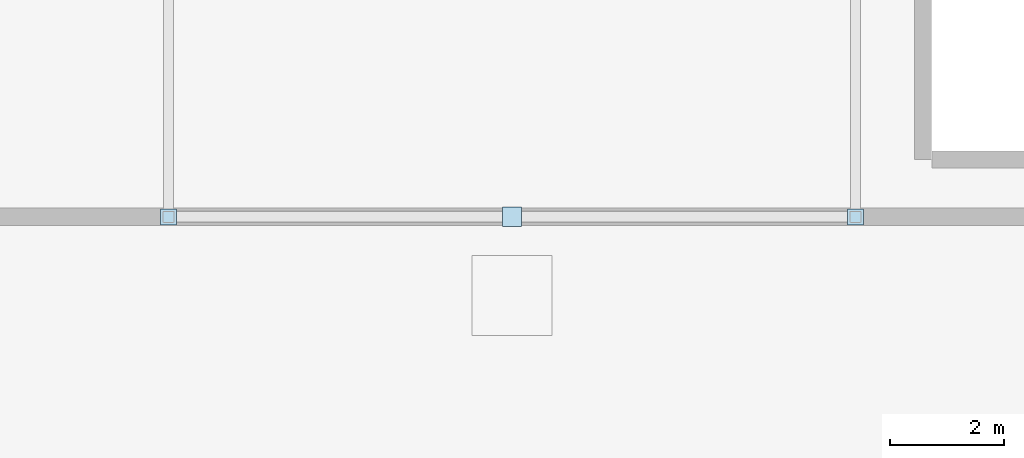
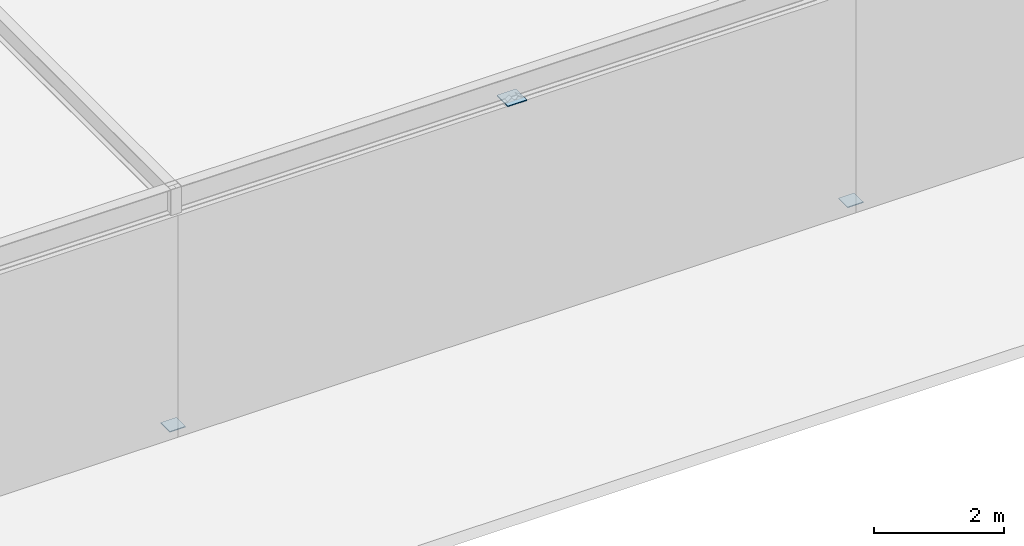
# One storey, part 84 of 119: 3 plates.
"""IFC4 building model written with IfcOpenShell, lengths in metres."""

from ifc_helpers import new_model, si_unit, derived_unit, direction, frame, origin, origin_2d_with_axis, place, context, subcontext, project, spatial, rectangle, extrude, material, layer, layer_set, type_object, element, save


model = new_model("IFC4")

# Units and contexts
model_context = context("Model", 3, precision=1e-05, world=origin(), true_north=direction((0.0, 1.0)))
body_context = subcontext(model_context, "Body", "Model", "MODEL_VIEW")
ifc_project = project(units=[si_unit("LENGTHUNIT", "METRE"), si_unit("AREAUNIT", "SQUARE_METRE"), si_unit("VOLUMEUNIT", "CUBIC_METRE"), si_unit("PLANEANGLEUNIT", "RADIAN"), si_unit("MASSUNIT", "GRAM", prefix="KILO"), derived_unit("THERMALTRANSMITTANCEUNIT", [(si_unit("POWERUNIT", "WATT"), 1), (si_unit("LENGTHUNIT", "METRE"), -2), (si_unit("THERMODYNAMICTEMPERATUREUNIT", "KELVIN"), -1)])], contexts=[model_context])

# Site, building, storey
site_placement = place(None, origin())
site = spatial("IfcSite", under=ifc_project, at=site_placement, CompositionType="ELEMENT")
building_placement = place(site_placement, origin())
building = spatial("IfcBuilding", under=site, at=building_placement, Name="Cinnabar Yard Market Hall", CompositionType="ELEMENT")
storey_placement = place(building_placement, origin())
storey = spatial("IfcBuildingStorey", under=building, at=storey_placement, Name="L00", CompositionType="ELEMENT", Elevation=0.0)

# Plates
ifc_material = material(Name="Steel Grade 350 (350 MPa)", Category="steel")
ifc_layer_1 = layer(ifc_material, 0.01611328125)
ifc_layer_set_1 = layer_set([ifc_layer_1], Name="Steel Grade 350 (350 MPa)")
plate_type_1 = type_object("IfcPlateType", Name="PL-NP18E", PredefinedType="SHEET", material=ifc_layer_set_1)
plate_placement = place(storey_placement, frame((196.0, 14.0, 4.15185546875), z_axis=(0.0, 0.0, 1.0), x_axis=(1.0, 0.0, 0.0)))
element("IfcPlate", 1, at=plate_placement, inside=storey, type_object=plate_type_1, Name="Brace Apex Gusset CBF-V4-S1", PredefinedType="SHEET", context=body_context, shape_type="SweptSolid", body=[
    extrude(rectangle(XDim=0.340087890625, YDim=0.340087890625, at=origin_2d_with_axis()), origin(), (0.0, 0.0, 1.0), 0.01611328125),
])
ifc_layer_2 = layer(ifc_material, 0.01611328125)
ifc_layer_set_2 = layer_set([ifc_layer_2], Name="Steel Grade 350 (350 MPa)")
plate_type_2 = type_object("IfcPlateType", Name="PL-NP19E", PredefinedType="SHEET", material=ifc_layer_set_2)
for number, where, z_axis, x_axis, name in (
    (2, (190.0, 14.0, 0.1318359375), (0.0, 0.0, 1.0), (1.0, 0.0, 0.0), "Brace Base Gusset CBF-V4-S1 L"),
    (3, (202.0, 14.0, 0.1318359375), (0.0, 0.0, 1.0), (1.0, 0.0, 0.0), "Brace Base Gusset CBF-V4-S1 R"),
):
    element("IfcPlate", number, at=place(storey_placement, frame(where, z_axis=z_axis, x_axis=x_axis)), inside=storey, type_object=plate_type_2, Name=name, PredefinedType="SHEET", context=body_context, shape_type="SweptSolid", body=[
        extrude(rectangle(XDim=0.280029296875, YDim=0.280029296875, at=origin_2d_with_axis()), origin(), (0.0, 0.0, 1.0), 0.01611328125),
    ])

save(model, "model.ifc")
